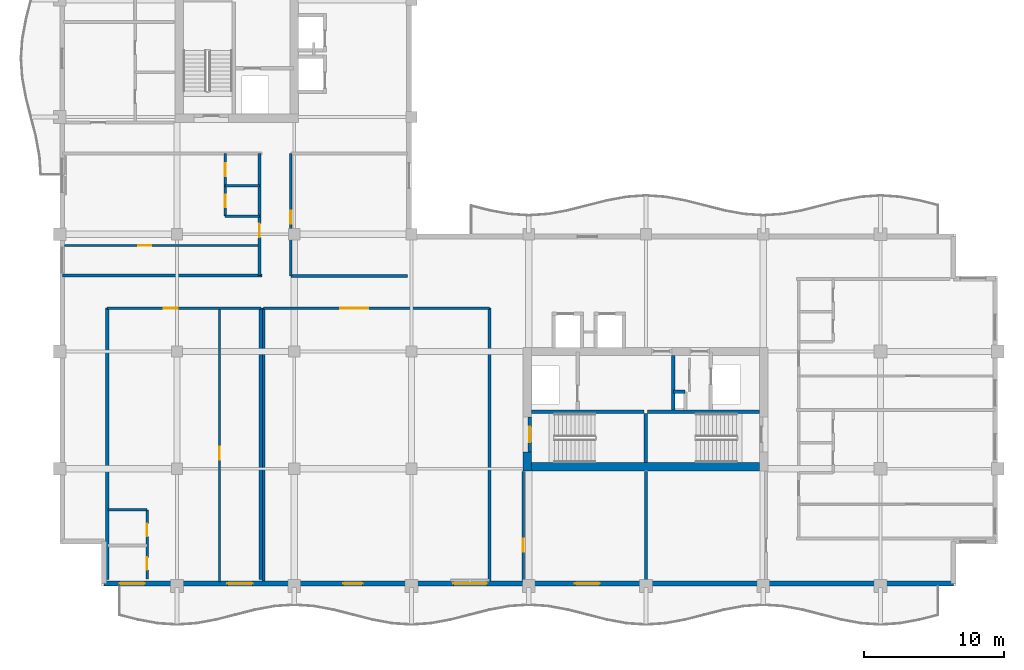
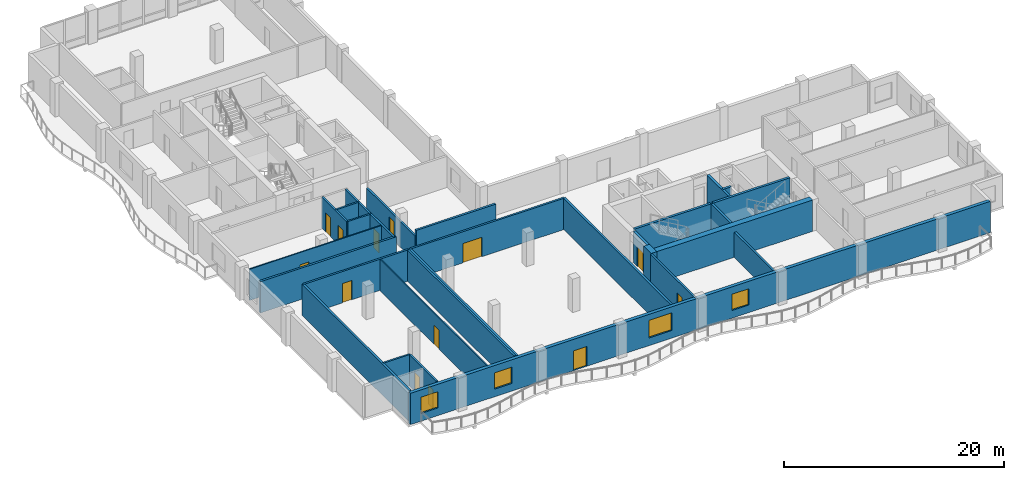
# One storey, part 6 of 16: 28 walls, 13 doors, 4 windows, 17 openings.
"""IFC4 building model written with IfcOpenShell, lengths in metres."""

from ifc_helpers import new_model, si_unit, direction, frame, frame_2d, origin, place, context, subcontext, project, spatial, rectangle, extrude, material, layer, layer_set, type_object, element, fill, save


model = new_model("IFC4")

# Units and contexts
model_context = context("Model", 3, precision=1e-05, world=origin(), true_north=direction((0.0, 1.0)))
body_context = subcontext(model_context, "Body", "Model", "MODEL_VIEW")
ifc_project = project(units=[si_unit("LENGTHUNIT", "METRE"), si_unit("AREAUNIT", "SQUARE_METRE"), si_unit("VOLUMEUNIT", "CUBIC_METRE"), si_unit("PLANEANGLEUNIT", "RADIAN"), si_unit("MASSUNIT", "GRAM", prefix="KILO")], contexts=[model_context])

# Site, building, storey
site_placement = place(None, origin())
site = spatial("IfcSite", under=ifc_project, at=site_placement, CompositionType="ELEMENT")
building_placement = place(site_placement, origin())
building = spatial("IfcBuilding", under=site, at=building_placement, Name="Koriwani Terraces Tower", CompositionType="ELEMENT")
storey_placement = place(building_placement, frame((0.0, 0.0, 267.5)))
storey = spatial("IfcBuildingStorey", under=building, at=storey_placement, Name="L66", CompositionType="ELEMENT", Elevation=267.5)

# Walls
ifc_material_1 = material(Name="Concrete C60/75", Category="concrete")
ifc_layer_1 = layer(ifc_material_1, 0.60009765625, Name="Concrete C60/75")
ifc_layer_set_1 = layer_set([ifc_layer_1], Name="Concrete C60/75")
wall_type_1 = type_object("IfcWallType", Name="WALL_CORE_RC_600", PredefinedType="SHEAR", material=ifc_layer_set_1)
wall_1_placement = place(storey_placement, frame((41.89990234375, 16.64990234375, 0.0), z_axis=(0.0, 0.0, 1.0), x_axis=(0.0, 1.0, 0.0)))
element("IfcWall", 1, at=wall_1_placement, inside=storey, type_object=wall_type_1, Name="L66 East Split Core Shear Wall W1", PredefinedType="SHEAR", context=body_context, shape_type="SweptSolid", body=[
    extrude(rectangle(XDim=1.35009765625, YDim=0.60009765625, at=frame_2d((0.675048828125, 0.0))), origin(), (0.0, 0.0, 1.0), 3.469970703125),
])
wall_2_placement = place(storey_placement, frame((42.199951171875, 16.949951171875, 0.0), z_axis=(0.0, 0.0, 1.0), x_axis=(1.0, 0.0, 0.0)))
element("IfcWall", 2, at=wall_2_placement, inside=storey, type_object=wall_type_1, Name="L66 East Split Core Shear Wall S1", PredefinedType="SHEAR", context=body_context, shape_type="SweptSolid", body=[
    extrude(rectangle(XDim=16.35009765625, YDim=0.60009765625, at=frame_2d((8.175048828125, 0.0))), origin(), (0.0, 0.0, 1.0), 3.469970703125),
])

# Wall, opening, door
ifc_material_2 = material(Name="Autoclaved Cellular Concrete Blockwork", Category="masonry")
ifc_layer_2 = layer(ifc_material_2, 0.199951171875, Name="Autoclaved Cellular Concrete Blockwork")
ifc_layer_set_2 = layer_set([ifc_layer_2], Name="Autoclaved Cellular Concrete Blockwork")
wall_type_2 = type_object("IfcWallType", Name="WALL_CORRIDOR_200", PredefinedType="PARTITIONING", material=ifc_layer_set_2)
wall_3_placement = place(storey_placement, frame((24.949951171875, 30.60009765625, 0.0), z_axis=(0.0, 0.0, 1.0), x_axis=(0.0, 1.0, 0.0)))
wall_3 = element("IfcWall", 3, at=wall_3_placement, inside=storey, type_object=wall_type_2, Name="L66 Interior Wall WIC4W-L66", PredefinedType="PARTITIONING", context=body_context, shape_type="SweptSolid", body=[
    extrude(rectangle(XDim=8.7998046875, YDim=0.199951171875, at=frame_2d((4.39990234375, 0.0))), origin(), (0.0, 0.0, 1.0), 2.820068359375),
])
opening_1_placement = place(wall_3_placement, frame((3.75, 0.0, 0.0)))
opening_1 = element("IfcOpeningElement", 4, at=opening_1_placement, cuts=wall_3, Name="Opening D-06", PredefinedType="OPENING", context=body_context, shape_type="SweptSolid", body=[
    extrude(rectangle(XDim=0.919921875, YDim=2.10009765625, at=frame_2d((0.4599609375, 1.050048828125))), frame((0.0, 0.10986328125, 0.0), z_axis=(0.0, -1.0, 0.0), x_axis=(1.0, 0.0, 0.0)), (0.0, 0.0, 1.0), 0.219970703125),
])
ifc_material_3 = material(Name="Architectural Oak Fire Door", Category="wood")
door_type_1 = type_object("IfcDoorType", Name="DOOR_ROOM_INT_920X2100", OperationType="NOTDEFINED", PredefinedType="DOOR", material=ifc_material_3)
door_1_placement = place(opening_1_placement, origin())
door_1 = element("IfcDoor", 5, at=door_1_placement, inside=storey, type_object=door_type_1, Name="L66 High-Rise Court Study Door", OperationType="SINGLE_SWING_RIGHT", OverallHeight=2.10009765625, OverallWidth=0.919921875, PredefinedType="DOOR", context=body_context, shape_type="SweptSolid", body=[
    extrude(rectangle(XDim=0.919921875, YDim=2.10009765625, at=frame_2d((0.4599609375, 1.050048828125))), frame((0.0, 0.02490234375, 0.0), z_axis=(0.0, -1.0, 0.0), x_axis=(1.0, 0.0, 0.0)), (0.0, 0.0, 1.0), 0.050048828125),
])
fill(opening_1, door_1)

wall_4_placement = place(storey_placement, frame((41.60009765625, 8.64990234375, 0.0), z_axis=(0.0, 0.0, 1.0), x_axis=(0.0, 1.0, 0.0)))
wall_4 = element("IfcWall", 6, at=wall_4_placement, inside=storey, type_object=wall_type_2, Name="L66 Interior Wall WRZ4-EW-L66", PredefinedType="PARTITIONING", context=body_context, shape_type="SweptSolid", body=[
    extrude(rectangle(XDim=7.9501953125, YDim=0.199951171875, at=frame_2d((3.97509765625, 0.0))), origin(), (0.0, 0.0, 1.0), 3.469970703125),
])
opening_2_placement = place(wall_4_placement, frame((2.199951171875, 0.0, 0.0)))
opening_2 = element("IfcOpeningElement", 7, at=opening_2_placement, cuts=wall_4, Name="Opening D-06", PredefinedType="OPENING", context=body_context, shape_type="SweptSolid", body=[
    extrude(rectangle(XDim=0.919921875, YDim=2.10009765625, at=frame_2d((0.4599609375, 1.050048828125))), frame((0.0, 0.10986328125, 0.0), z_axis=(0.0, -1.0, 0.0), x_axis=(1.0, 0.0, 0.0)), (0.0, 0.0, 1.0), 0.219970703125),
])
door_2_placement = place(opening_2_placement, origin())
door_2 = element("IfcDoor", 8, at=door_2_placement, inside=storey, type_object=door_type_1, Name="L66 Resident Library Study Door", OperationType="SINGLE_SWING_LEFT", OverallHeight=2.10009765625, OverallWidth=0.919921875, PredefinedType="DOOR", context=body_context, shape_type="SweptSolid", body=[
    extrude(rectangle(XDim=0.919921875, YDim=2.10009765625, at=frame_2d((0.4599609375, 1.050048828125))), frame((0.0, 0.02490234375, 0.0), z_axis=(0.0, -1.0, 0.0), x_axis=(1.0, 0.0, 0.0)), (0.0, 0.0, 1.0), 0.050048828125),
])
fill(opening_2, door_2)

wall_5_placement = place(storey_placement, frame((11.800048828125, 28.300048828125, 0.0), z_axis=(0.0, 0.0, 1.0), x_axis=(1.0, 0.0, 0.0)))
wall_5 = element("IfcWall", 9, at=wall_5_placement, inside=storey, type_object=wall_type_2, Name="L66 Interior Wall WGB-L66-SPINE-N", PredefinedType="PARTITIONING", context=body_context, shape_type="SweptSolid", body=[
    extrude(rectangle(XDim=11.0, YDim=0.199951171875, at=frame_2d((5.5, 0.0))), origin(), (0.0, 0.0, 1.0), 3.469970703125),
])
opening_3_placement = place(wall_5_placement, frame((4.050048828125, 0.0, 0.0)))
opening_3 = element("IfcOpeningElement", 10, at=opening_3_placement, cuts=wall_5, Name="Opening D-05", PredefinedType="OPENING", context=body_context, shape_type="SweptSolid", body=[
    extrude(rectangle(XDim=1.0, YDim=2.14990234375, at=frame_2d((0.5, 1.074951171875))), frame((0.0, 0.10986328125, 0.0), z_axis=(0.0, -1.0, 0.0), x_axis=(1.0, 0.0, 0.0)), (0.0, 0.0, 1.0), 0.219970703125),
])
door_type_2 = type_object("IfcDoorType", Name="DOOR_SUITE_ENTRY_1000X2150", OperationType="NOTDEFINED", PredefinedType="DOOR", material=ifc_material_3)
door_3_placement = place(opening_3_placement, origin())
door_3 = element("IfcDoor", 11, at=door_3_placement, inside=storey, type_object=door_type_2, Name="Corner Residence 66SP Entrance Door", OperationType="SINGLE_SWING_LEFT", OverallHeight=2.14990234375, OverallWidth=1.0, PredefinedType="DOOR", context=body_context, shape_type="SweptSolid", body=[
    extrude(rectangle(XDim=1.0, YDim=2.14990234375, at=frame_2d((0.5, 1.074951171875))), frame((0.0, 0.02490234375, 0.0), z_axis=(0.0, -1.0, 0.0), x_axis=(1.0, 0.0, 0.0)), (0.0, 0.0, 1.0), 0.050048828125),
])
fill(opening_3, door_3)

wall_6_placement = place(storey_placement, frame((23.0, 28.300048828125, 0.0), z_axis=(0.0, 0.0, 1.0), x_axis=(1.0, 0.0, 0.0)))
wall_6 = element("IfcWall", 12, at=wall_6_placement, inside=storey, type_object=wall_type_2, Name="L66 Interior Wall WSPCLB-N-L66", PredefinedType="PARTITIONING", context=body_context, shape_type="SweptSolid", body=[
    extrude(rectangle(XDim=16.199951171875, YDim=0.199951171875, at=frame_2d((8.10009765625, 0.0))), origin(), (0.0, 0.0, 1.0), 3.469970703125),
])
opening_4_placement = place(wall_6_placement, frame((5.5, 0.0, 0.0)))
opening_4 = element("IfcOpeningElement", 13, at=opening_4_placement, cuts=wall_6, Name="Opening D-02", PredefinedType="OPENING", context=body_context, shape_type="SweptSolid", body=[
    extrude(rectangle(XDim=2.0, YDim=2.14990234375, at=frame_2d((1.0, 1.074951171875))), frame((0.0, 0.10986328125, 0.0), z_axis=(0.0, -1.0, 0.0), x_axis=(1.0, 0.0, 0.0)), (0.0, 0.0, 1.0), 0.219970703125),
])
ifc_material_4 = material(Name="Anodised Bronze Aluminium", Category="aluminium")
door_type_3 = type_object("IfcDoorType", Name="DOOR_ENTRANCE_DOUBLE_2000X2400", OperationType="NOTDEFINED", PredefinedType="DOOR", material=ifc_material_4)
door_4_placement = place(opening_4_placement, origin())
door_4 = element("IfcDoor", 14, at=door_4_placement, inside=storey, type_object=door_type_3, Name="L66 Sky Screening Salon Door", OperationType="SINGLE_SWING_LEFT", OverallHeight=2.14990234375, OverallWidth=2.0, PredefinedType="DOOR", context=body_context, shape_type="SweptSolid", body=[
    extrude(rectangle(XDim=2.0, YDim=2.14990234375, at=frame_2d((1.0, 1.074951171875))), frame((0.0, 0.02490234375, 0.0), z_axis=(0.0, -1.0, 0.0), x_axis=(1.0, 0.0, 0.0)), (0.0, 0.0, 1.0), 0.050048828125),
])
fill(opening_4, door_4)

wall_7_placement = place(storey_placement, frame((22.699951171875, 30.64990234375, 0.0), z_axis=(0.0, 0.0, 1.0), x_axis=(0.0, 1.0, 0.0)))
wall_7 = element("IfcWall", 15, at=wall_7_placement, inside=storey, type_object=wall_type_2, Name="L66 Interior Wall WRCOR-L66-NE-0", PredefinedType="PARTITIONING", context=body_context, shape_type="SweptSolid", body=[
    extrude(rectangle(XDim=8.75, YDim=0.199951171875, at=frame_2d((4.375, 0.0))), origin(), (0.0, 0.0, 1.0), 3.469970703125),
])
opening_5_placement = place(wall_7_placement, frame((2.719970703125, 0.0, 0.0)))
opening_5 = element("IfcOpeningElement", 16, at=opening_5_placement, cuts=wall_7, Name="Opening D-05", PredefinedType="OPENING", context=body_context, shape_type="SweptSolid", body=[
    extrude(rectangle(XDim=1.0, YDim=2.14990234375, at=frame_2d((0.5, 1.074951171875))), frame((0.0, 0.10986328125, 0.0), z_axis=(0.0, -1.0, 0.0), x_axis=(1.0, 0.0, 0.0)), (0.0, 0.0, 1.0), 0.219970703125),
])
door_5_placement = place(opening_5_placement, origin())
door_5 = element("IfcDoor", 17, at=door_5_placement, inside=storey, type_object=door_type_2, Name="Apartment 66NE1 Entrance Door", OperationType="SINGLE_SWING_RIGHT", OverallHeight=2.14990234375, OverallWidth=1.0, PredefinedType="DOOR", context=body_context, shape_type="SweptSolid", body=[
    extrude(rectangle(XDim=1.0, YDim=2.14990234375, at=frame_2d((0.5, 1.074951171875))), frame((0.0, 0.02490234375, 0.0), z_axis=(0.0, -1.0, 0.0), x_axis=(1.0, 0.0, 0.0)), (0.0, 0.0, 1.0), 0.050048828125),
])
fill(opening_5, door_5)

# Walls
ifc_layer_3 = layer(ifc_material_2, 0.219970703125, Name="Autoclaved Cellular Concrete Blockwork")
ifc_layer_set_3 = layer_set([ifc_layer_3], Name="Autoclaved Cellular Concrete Blockwork")
wall_type_3 = type_object("IfcWallType", Name="WALL_DEMISING_220", PredefinedType="PARTITIONING", material=ifc_layer_set_3)
wall_8_placement = place(storey_placement, frame((24.949951171875, 30.60009765625, 0.0), z_axis=(0.0, 0.0, 1.0), x_axis=(1.0, 0.0, 0.0)))
element("IfcWall", 18, at=wall_8_placement, inside=storey, type_object=wall_type_3, Name="L66 Interior Wall WIC4WS-L66", PredefinedType="PARTITIONING", context=body_context, shape_type="SweptSolid", body=[
    extrude(rectangle(XDim=8.35009765625, YDim=0.219970703125, at=frame_2d((4.175048828125, 0.0))), origin(), (0.0, 0.0, 1.0), 3.469970703125),
])
wall_9_placement = place(storey_placement, frame((50.39990234375, 8.64990234375, 0.0), z_axis=(0.0, 0.0, 1.0), x_axis=(0.0, 1.0, 0.0)))
element("IfcWall", 19, at=wall_9_placement, inside=storey, type_object=wall_type_3, Name="L66 Interior Wall WRZ4-EM-L66", PredefinedType="PARTITIONING", context=body_context, shape_type="SweptSolid", body=[
    extrude(rectangle(XDim=7.9501953125, YDim=0.219970703125, at=frame_2d((3.97509765625, 0.0))), origin(), (0.0, 0.0, 1.0), 2.820068359375),
])
for number, where, z_axis, x_axis, name in (
    (20, (22.800048828125, 8.85009765625, 0.0), (0.0, 0.0, 1.0), (0.0, 1.0, 0.0), "L66 Interior Wall WGB-L66-SPINE-E"),
    (21, (11.800048828125, 8.85009765625, 0.0), (0.0, 0.0, 1.0), (0.0, 1.0, 0.0), "L66 Interior Wall WGB-L66-SPINE-W"),
):
    element("IfcWall", number, at=place(storey_placement, frame(where, z_axis=z_axis, x_axis=x_axis)), inside=storey, type_object=wall_type_3, Name=name, PredefinedType="PARTITIONING", context=body_context, shape_type="SweptSolid", body=[
        extrude(rectangle(XDim=19.449951171875, YDim=0.219970703125, at=frame_2d((9.72509765625, 0.0))), origin(), (0.0, 0.0, 1.0), 3.469970703125),
    ])
for number, where, z_axis, x_axis, name in (
    (22, (23.0, 8.75, 0.0), (0.0, 0.0, 1.0), (0.0, 1.0, 0.0), "L66 Interior Wall WSPCLB-W-L66"),
    (23, (39.199951171875, 8.75, 0.0), (0.0, 0.0, 1.0), (0.0, 1.0, 0.0), "L66 Interior Wall WSPCLB-E-L66"),
):
    element("IfcWall", number, at=place(storey_placement, frame(where, z_axis=z_axis, x_axis=x_axis)), inside=storey, type_object=wall_type_3, Name=name, PredefinedType="PARTITIONING", context=body_context, shape_type="SweptSolid", body=[
        extrude(rectangle(XDim=19.550048828125, YDim=0.219970703125, at=frame_2d((9.77490234375, 0.0))), origin(), (0.0, 0.0, 1.0), 3.469970703125),
    ])
wall_10_placement = place(storey_placement, frame((8.60009765625, 30.64990234375, 0.0), z_axis=(0.0, 0.0, 1.0), x_axis=(1.0, 0.0, 0.0)))
element("IfcWall", 24, at=wall_10_placement, inside=storey, type_object=wall_type_3, Name="L66 Interior Wall WRDEM-L66-NE-0", PredefinedType="PARTITIONING", context=body_context, shape_type="SweptSolid", body=[
    extrude(rectangle(XDim=14.27978515625, YDim=0.219970703125, at=frame_2d((7.139892578125, 0.0))), origin(), (0.0, 0.0, 1.0), 3.469970703125),
])

# Wall, openings, door, windows
ifc_material_5 = material(Name="Concrete C50/60", Category="concrete")
ifc_layer_4 = layer(ifc_material_5, 0.35009765625, Name="Concrete C50/60")
ifc_layer_set_4 = layer_set([ifc_layer_4], Name="Concrete C50/60")
wall_type_4 = type_object("IfcWallType", Name="WALL_EXT_BRUTALIST_350", PredefinedType="STANDARD", material=ifc_layer_set_4)
wall_11_placement = place(storey_placement, frame((72.425048828125, 8.574951171875, 0.0), z_axis=(0.0, 0.0, 1.0), x_axis=(-1.0, 0.0, 0.0)))
wall_11 = element("IfcWall", 25, at=wall_11_placement, inside=storey, type_object=wall_type_4, Name="L66 Fair-Faced Brutalist Exterior Wall (S)", PredefinedType="STANDARD", context=body_context, shape_type="SweptSolid", body=[
    extrude(rectangle(XDim=60.85009765625, YDim=0.35009765625, at=frame_2d((30.425048828125, 0.0))), origin(), (0.0, 0.0, 1.0), 3.469970703125),
])
opening_6_placement = place(wall_11_placement, frame((42.324951171875, 0.0, 0.0)))
opening_6 = element("IfcOpeningElement", 26, at=opening_6_placement, cuts=wall_11, Name="Opening D-09", PredefinedType="OPENING", context=body_context, shape_type="SweptSolid", body=[
    extrude(rectangle(XDim=1.39990234375, YDim=2.199951171875, at=frame_2d((0.699951171875, 1.10009765625))), frame((0.0, 0.18505859375, 0.0), z_axis=(0.0, -1.0, 0.0), x_axis=(1.0, 0.0, 0.0)), (0.0, 0.0, 1.0), 0.3701171875),
])
opening_7_placement = place(wall_11_placement, frame((33.425048828125, 0.0, 0.85009765625)))
opening_7 = element("IfcOpeningElement", 27, at=opening_7_placement, cuts=wall_11, Name="Opening W-03", PredefinedType="OPENING", context=body_context, shape_type="SweptSolid", body=[
    extrude(rectangle(XDim=2.39990234375, YDim=1.949951171875, at=frame_2d((1.199951171875, 0.97509765625))), frame((0.0, 0.18505859375, 0.0), z_axis=(0.0, -1.0, 0.0), x_axis=(1.0, 0.0, 0.0)), (0.0, 0.0, 1.0), 0.3701171875),
])
opening_8_placement = place(wall_11_placement, frame((25.324951171875, 0.0, 0.85009765625)))
opening_8 = element("IfcOpeningElement", 28, at=opening_8_placement, cuts=wall_11, Name="Opening W-04", PredefinedType="OPENING", context=body_context, shape_type="SweptSolid", body=[
    extrude(rectangle(XDim=1.800048828125, YDim=1.800048828125, at=frame_2d((0.89990234375, 0.89990234375))), frame((0.0, 0.18505859375, 0.0), z_axis=(0.0, -1.0, 0.0), x_axis=(1.0, 0.0, 0.0)), (0.0, 0.0, 1.0), 0.3701171875),
])
opening_9_placement = place(wall_11_placement, frame((50.215087890625, 0.0, 0.85009765625)))
opening_9 = element("IfcOpeningElement", 29, at=opening_9_placement, cuts=wall_11, Name="Opening W-04", PredefinedType="OPENING", context=body_context, shape_type="SweptSolid", body=[
    extrude(rectangle(XDim=1.800048828125, YDim=1.800048828125, at=frame_2d((0.89990234375, 0.89990234375))), frame((0.0, 0.18505859375, 0.0), z_axis=(0.0, -1.0, 0.0), x_axis=(1.0, 0.0, 0.0)), (0.0, 0.0, 1.0), 0.3701171875),
])
opening_10_placement = place(wall_11_placement, frame((57.93505859375, 0.0, 0.85009765625)))
opening_10 = element("IfcOpeningElement", 30, at=opening_10_placement, cuts=wall_11, Name="Opening W-04", PredefinedType="OPENING", context=body_context, shape_type="SweptSolid", body=[
    extrude(rectangle(XDim=1.800048828125, YDim=1.800048828125, at=frame_2d((0.89990234375, 0.89990234375))), frame((0.0, 0.18505859375, 0.0), z_axis=(0.0, -1.0, 0.0), x_axis=(1.0, 0.0, 0.0)), (0.0, 0.0, 1.0), 0.3701171875),
])
door_type_4 = type_object("IfcDoorType", Name="DOOR_BALCONY_GLAZED_1400X2200", OperationType="NOTDEFINED", PredefinedType="DOOR", material=ifc_material_4)
door_6_placement = place(opening_6_placement, origin())
door_6 = element("IfcDoor", 31, at=door_6_placement, inside=storey, type_object=door_type_4, Name="L66 South Balcony Glazed Door", OperationType="SINGLE_SWING_LEFT", OverallHeight=2.199951171875, OverallWidth=1.39990234375, PredefinedType="DOOR", context=body_context, shape_type="SweptSolid", body=[
    extrude(rectangle(XDim=1.39990234375, YDim=2.199951171875, at=frame_2d((0.699951171875, 1.10009765625))), frame((0.0, 0.02490234375, 0.0), z_axis=(0.0, -1.0, 0.0), x_axis=(1.0, 0.0, 0.0)), (0.0, 0.0, 1.0), 0.050048828125),
])
fill(opening_6, door_6)
ifc_material_6 = material(Name="Tempered Laminated Low-E Glass", Category="glass")
window_type_1 = type_object("IfcWindowType", Name="WIN_RES_BED_1800X1800", PartitioningType="DOUBLE_PANEL_VERTICAL", PredefinedType="WINDOW", material=ifc_material_6)
window_1_placement = place(opening_8_placement, origin())
window_1 = element("IfcWindow", 32, at=window_1_placement, inside=storey, type_object=window_type_1, Name="L66 Exterior Window (S-12)", OverallHeight=1.800048828125, OverallWidth=1.800048828125, PartitioningType="SINGLE_PANEL", PredefinedType="WINDOW", context=body_context, shape_type="SweptSolid", body=[
    extrude(rectangle(XDim=1.800048828125, YDim=1.800048828125, at=frame_2d((0.89990234375, 0.89990234375))), frame((0.0, 0.030029296875, 0.0), z_axis=(0.0, -1.0, 0.0), x_axis=(1.0, 0.0, 0.0)), (0.0, 0.0, 1.0), 0.06005859375),
])
fill(opening_8, window_1)
window_2_placement = place(opening_9_placement, origin())
window_2 = element("IfcWindow", 33, at=window_2_placement, inside=storey, type_object=window_type_1, Name="L66 Exterior Window (S-R32)", OverallHeight=1.800048828125, OverallWidth=1.800048828125, PartitioningType="SINGLE_PANEL", PredefinedType="WINDOW", context=body_context, shape_type="SweptSolid", body=[
    extrude(rectangle(XDim=1.800048828125, YDim=1.800048828125, at=frame_2d((0.89990234375, 0.89990234375))), frame((0.0, 0.030029296875, 0.0), z_axis=(0.0, -1.0, 0.0), x_axis=(1.0, 0.0, 0.0)), (0.0, 0.0, 1.0), 0.06005859375),
])
fill(opening_9, window_2)
window_3_placement = place(opening_10_placement, origin())
window_3 = element("IfcWindow", 34, at=window_3_placement, inside=storey, type_object=window_type_1, Name="L66 Exterior Window (S-R33)", OverallHeight=1.800048828125, OverallWidth=1.800048828125, PartitioningType="SINGLE_PANEL", PredefinedType="WINDOW", context=body_context, shape_type="SweptSolid", body=[
    extrude(rectangle(XDim=1.800048828125, YDim=1.800048828125, at=frame_2d((0.89990234375, 0.89990234375))), frame((0.0, 0.030029296875, 0.0), z_axis=(0.0, -1.0, 0.0), x_axis=(1.0, 0.0, 0.0)), (0.0, 0.0, 1.0), 0.06005859375),
])
fill(opening_10, window_3)
window_type_2 = type_object("IfcWindowType", Name="WIN_RES_LIVING_2400X1950", PartitioningType="DOUBLE_PANEL_VERTICAL", PredefinedType="WINDOW", material=ifc_material_6)
window_4_placement = place(opening_7_placement, origin())
window_4 = element("IfcWindow", 35, at=window_4_placement, inside=storey, type_object=window_type_2, Name="L66 Exterior Window (S-9)", OverallHeight=1.949951171875, OverallWidth=2.39990234375, PartitioningType="SINGLE_PANEL", PredefinedType="WINDOW", context=body_context, shape_type="SweptSolid", body=[
    extrude(rectangle(XDim=2.39990234375, YDim=1.949951171875, at=frame_2d((1.199951171875, 0.97509765625))), frame((0.0, 0.030029296875, 0.0), z_axis=(0.0, -1.0, 0.0), x_axis=(1.0, 0.0, 0.0)), (0.0, 0.0, 1.0), 0.06005859375),
])
fill(opening_7, window_4)

# Wall, opening, door
ifc_material_7 = material(Name="Fire-Rated Acoustic Gypsum Partition", Category="masonry")
ifc_layer_5 = layer(ifc_material_7, 0.125, Name="Fire-Rated Acoustic Gypsum Partition")
ifc_layer_set_5 = layer_set([ifc_layer_5], Name="Fire-Rated Acoustic Gypsum Partition")
wall_type_5 = type_object("IfcWallType", Name="WALL_INT_125", PredefinedType="PARTITIONING", material=ifc_layer_set_5)
wall_12_placement = place(storey_placement, frame((19.85009765625, 8.699951171875, 0.0), z_axis=(0.0, 0.0, 1.0), x_axis=(0.0, 1.0, 0.0)))
wall_12 = element("IfcWall", 36, at=wall_12_placement, inside=storey, type_object=wall_type_5, Name="L66 Interior Wall WGB-L66-SPINE-BD", PredefinedType="PARTITIONING", context=body_context, shape_type="SweptSolid", body=[
    extrude(rectangle(XDim=19.650146484375, YDim=0.125, at=frame_2d((9.8251953125, 0.0))), origin(), (0.0, 0.0, 1.0), 3.469970703125),
])
opening_11_placement = place(wall_12_placement, frame((8.751953125, 0.0, 0.0)))
opening_11 = element("IfcOpeningElement", 37, at=opening_11_placement, cuts=wall_12, Name="Opening D-06", PredefinedType="OPENING", context=body_context, shape_type="SweptSolid", body=[
    extrude(rectangle(XDim=0.919921875, YDim=2.10009765625, at=frame_2d((0.4599609375, 1.050048828125))), frame((0.0, 0.072509765625, 0.0), z_axis=(0.0, -1.0, 0.0), x_axis=(1.0, 0.0, 0.0)), (0.0, 0.0, 1.0), 0.14501953125),
])
door_7_placement = place(opening_11_placement, origin())
door_7 = element("IfcDoor", 38, at=door_7_placement, inside=storey, type_object=door_type_1, Name="Corner Residence 66SP Master Suite Door", OperationType="SINGLE_SWING_RIGHT", OverallHeight=2.10009765625, OverallWidth=0.919921875, PredefinedType="DOOR", context=body_context, shape_type="SweptSolid", body=[
    extrude(rectangle(XDim=0.919921875, YDim=2.10009765625, at=frame_2d((0.4599609375, 1.050048828125))), frame((0.0, 0.02490234375, 0.0), z_axis=(0.0, -1.0, 0.0), x_axis=(1.0, 0.0, 0.0)), (0.0, 0.0, 1.0), 0.050048828125),
])
fill(opening_11, door_7)

wall_13_placement = place(storey_placement, frame((8.75, 32.800048828125, 0.0), z_axis=(0.0, 0.0, 1.0), x_axis=(1.0, 0.0, 0.0)))
wall_13 = element("IfcWall", 39, at=wall_13_placement, inside=storey, type_object=wall_type_5, Name="L66 Interior Wall WRBED1-L66-NE-0", PredefinedType="PARTITIONING", context=body_context, shape_type="SweptSolid", body=[
    extrude(rectangle(XDim=13.949951171875, YDim=0.125, at=frame_2d((6.97509765625, 0.0))), origin(), (0.0, 0.0, 1.0), 3.469970703125),
])
opening_12_placement = place(wall_13_placement, frame((5.2900390625, 0.0, 0.0)))
opening_12 = element("IfcOpeningElement", 40, at=opening_12_placement, cuts=wall_13, Name="Opening D-06", PredefinedType="OPENING", context=body_context, shape_type="SweptSolid", body=[
    extrude(rectangle(XDim=0.919921875, YDim=2.10009765625, at=frame_2d((0.4599609375, 1.050048828125))), frame((0.0, 0.072509765625, 0.0), z_axis=(0.0, -1.0, 0.0), x_axis=(1.0, 0.0, 0.0)), (0.0, 0.0, 1.0), 0.14501953125),
])
door_8_placement = place(opening_12_placement, origin())
door_8 = element("IfcDoor", 41, at=door_8_placement, inside=storey, type_object=door_type_1, Name="Apartment 66NE1 Master Bedroom Door", OperationType="SINGLE_SWING_LEFT", OverallHeight=2.10009765625, OverallWidth=0.919921875, PredefinedType="DOOR", context=body_context, shape_type="SweptSolid", body=[
    extrude(rectangle(XDim=0.919921875, YDim=2.10009765625, at=frame_2d((0.4599609375, 1.050048828125))), frame((0.0, 0.02490234375, 0.0), z_axis=(0.0, -1.0, 0.0), x_axis=(1.0, 0.0, 0.0)), (0.0, 0.0, 1.0), 0.050048828125),
])
fill(opening_12, door_8)

# Wall, openings, doors
ifc_layer_6 = layer(ifc_material_7, 0.179931640625, Name="Fire-Rated Acoustic Gypsum Partition")
ifc_layer_set_6 = layer_set([ifc_layer_6], Name="Fire-Rated Acoustic Gypsum Partition")
wall_type_6 = type_object("IfcWallType", Name="WALL_PLUMBING_180", PredefinedType="PLUMBINGWALL", material=ifc_layer_set_6)
wall_14_placement = place(storey_placement, frame((14.64990234375, 8.89990234375, 0.0), z_axis=(0.0, 0.0, 1.0), x_axis=(0.0, 1.0, 0.0)))
wall_14 = element("IfcWall", 42, at=wall_14_placement, inside=storey, type_object=wall_type_6, Name="L66 Interior Wall WGB-L66-SPINE-SVB", PredefinedType="PLUMBINGWALL", context=body_context, shape_type="SweptSolid", body=[
    extrude(rectangle(XDim=4.9501953125, YDim=0.179931640625, at=frame_2d((2.47509765625, 0.0))), origin(), (0.0, 0.0, 1.0), 3.469970703125),
])
opening_13_placement = place(wall_14_placement, frame((0.64990234375, 0.0, 0.0)))
opening_13 = element("IfcOpeningElement", 43, at=opening_13_placement, cuts=wall_14, Name="Opening D-07", PredefinedType="OPENING", context=body_context, shape_type="SweptSolid", body=[
    extrude(rectangle(XDim=0.89990234375, YDim=2.10009765625, at=frame_2d((0.449951171875, 1.050048828125))), frame((0.0, 0.10009765625, 0.0), z_axis=(0.0, -1.0, 0.0), x_axis=(1.0, 0.0, 0.0)), (0.0, 0.0, 1.0), 0.199951171875),
])
opening_14_placement = place(wall_14_placement, frame((3.050048828125, 0.0, 0.0)))
opening_14 = element("IfcOpeningElement", 44, at=opening_14_placement, cuts=wall_14, Name="Opening D-06", PredefinedType="OPENING", context=body_context, shape_type="SweptSolid", body=[
    extrude(rectangle(XDim=0.919921875, YDim=2.10009765625, at=frame_2d((0.4599609375, 1.050048828125))), frame((0.0, 0.10009765625, 0.0), z_axis=(0.0, -1.0, 0.0), x_axis=(1.0, 0.0, 0.0)), (0.0, 0.0, 1.0), 0.199951171875),
])
door_type_5 = type_object("IfcDoorType", Name="DOOR_BATH_INT_900X2100", OperationType="NOTDEFINED", PredefinedType="DOOR", material=ifc_material_3)
door_9_placement = place(opening_13_placement, origin())
door_9 = element("IfcDoor", 45, at=door_9_placement, inside=storey, type_object=door_type_5, Name="Corner Residence 66SP Bathroom Door", OperationType="SINGLE_SWING_RIGHT", OverallHeight=2.10009765625, OverallWidth=0.89990234375, PredefinedType="DOOR", context=body_context, shape_type="SweptSolid", body=[
    extrude(rectangle(XDim=0.89990234375, YDim=2.10009765625, at=frame_2d((0.449951171875, 1.050048828125))), frame((0.0, 0.02490234375, 0.0), z_axis=(0.0, -1.0, 0.0), x_axis=(1.0, 0.0, 0.0)), (0.0, 0.0, 1.0), 0.050048828125),
])
fill(opening_13, door_9)
door_10_placement = place(opening_14_placement, origin())
door_10 = element("IfcDoor", 46, at=door_10_placement, inside=storey, type_object=door_type_1, Name="Corner Residence 66SP Kitchen Door", OperationType="SINGLE_SWING_LEFT", OverallHeight=2.10009765625, OverallWidth=0.919921875, PredefinedType="DOOR", context=body_context, shape_type="SweptSolid", body=[
    extrude(rectangle(XDim=0.919921875, YDim=2.10009765625, at=frame_2d((0.4599609375, 1.050048828125))), frame((0.0, 0.02490234375, 0.0), z_axis=(0.0, -1.0, 0.0), x_axis=(1.0, 0.0, 0.0)), (0.0, 0.0, 1.0), 0.050048828125),
])
fill(opening_14, door_10)

# Wall
wall_15_placement = place(storey_placement, frame((11.85009765625, 13.85009765625, 0.0), z_axis=(0.0, 0.0, 1.0), x_axis=(1.0, 0.0, 0.0)))
element("IfcWall", 47, at=wall_15_placement, inside=storey, type_object=wall_type_6, Name="L66 Interior Wall WGB-L66-SPINE-SV2", PredefinedType="PLUMBINGWALL", context=body_context, shape_type="SweptSolid", body=[
    extrude(rectangle(XDim=2.7998046875, YDim=0.179931640625, at=frame_2d((1.39990234375, 0.0))), origin(), (0.0, 0.0, 1.0), 3.469970703125),
])

# Wall, openings, doors
wall_16_placement = place(storey_placement, frame((20.25, 34.89990234375, 0.0), z_axis=(0.0, 0.0, 1.0), x_axis=(0.0, 1.0, 0.0)))
wall_16 = element("IfcWall", 48, at=wall_16_placement, inside=storey, type_object=wall_type_6, Name="L66 Interior Wall WRSVC-L66-NE-0", PredefinedType="PLUMBINGWALL", context=body_context, shape_type="SweptSolid", body=[
    extrude(rectangle(XDim=4.5, YDim=0.179931640625, at=frame_2d((2.25, 0.0))), origin(), (0.0, 0.0, 1.0), 3.469970703125),
])
opening_15_placement = place(wall_16_placement, frame((0.6298828125, 0.0, 0.0)))
opening_15 = element("IfcOpeningElement", 49, at=opening_15_placement, cuts=wall_16, Name="Opening D-07", PredefinedType="OPENING", context=body_context, shape_type="SweptSolid", body=[
    extrude(rectangle(XDim=0.89990234375, YDim=2.10009765625, at=frame_2d((0.449951171875, 1.050048828125))), frame((0.0, 0.10009765625, 0.0), z_axis=(0.0, -1.0, 0.0), x_axis=(1.0, 0.0, 0.0)), (0.0, 0.0, 1.0), 0.199951171875),
])
opening_16_placement = place(wall_16_placement, frame((2.8701171875, 0.0, 0.0)))
opening_16 = element("IfcOpeningElement", 50, at=opening_16_placement, cuts=wall_16, Name="Opening D-06", PredefinedType="OPENING", context=body_context, shape_type="SweptSolid", body=[
    extrude(rectangle(XDim=0.919921875, YDim=2.10009765625, at=frame_2d((0.4599609375, 1.050048828125))), frame((0.0, 0.10009765625, 0.0), z_axis=(0.0, -1.0, 0.0), x_axis=(1.0, 0.0, 0.0)), (0.0, 0.0, 1.0), 0.199951171875),
])
door_11_placement = place(opening_15_placement, origin())
door_11 = element("IfcDoor", 51, at=door_11_placement, inside=storey, type_object=door_type_5, Name="Apartment 66NE1 Bathroom Door", OperationType="SINGLE_SWING_LEFT", OverallHeight=2.10009765625, OverallWidth=0.89990234375, PredefinedType="DOOR", context=body_context, shape_type="SweptSolid", body=[
    extrude(rectangle(XDim=0.89990234375, YDim=2.10009765625, at=frame_2d((0.449951171875, 1.050048828125))), frame((0.0, 0.02490234375, 0.0), z_axis=(0.0, -1.0, 0.0), x_axis=(1.0, 0.0, 0.0)), (0.0, 0.0, 1.0), 0.050048828125),
])
fill(opening_15, door_11)
door_12_placement = place(opening_16_placement, origin())
door_12 = element("IfcDoor", 52, at=door_12_placement, inside=storey, type_object=door_type_1, Name="Apartment 66NE1 Kitchen Door", OperationType="SINGLE_SWING_RIGHT", OverallHeight=2.10009765625, OverallWidth=0.919921875, PredefinedType="DOOR", context=body_context, shape_type="SweptSolid", body=[
    extrude(rectangle(XDim=0.919921875, YDim=2.10009765625, at=frame_2d((0.4599609375, 1.050048828125))), frame((0.0, 0.02490234375, 0.0), z_axis=(0.0, -1.0, 0.0), x_axis=(1.0, 0.0, 0.0)), (0.0, 0.0, 1.0), 0.050048828125),
])
fill(opening_16, door_12)

# Walls
for number, where, z_axis, x_axis, name in (
    (53, (20.25, 34.89990234375, 0.0), (0.0, 0.0, 1.0), (1.0, 0.0, 0.0), "L66 Interior Wall WRSVCS-L66-NE-0"),
    (54, (20.25, 37.06005859375, 0.0), (0.0, 0.0, 1.0), (1.0, 0.0, 0.0), "L66 Interior Wall WRSVCM-L66-NE-0"),
):
    element("IfcWall", number, at=place(storey_placement, frame(where, z_axis=z_axis, x_axis=x_axis)), inside=storey, type_object=wall_type_6, Name=name, PredefinedType="PLUMBINGWALL", context=body_context, shape_type="SweptSolid", body=[
        extrude(rectangle(XDim=2.449951171875, YDim=0.179931640625, at=frame_2d((1.22509765625, 0.0))), origin(), (0.0, 0.0, 1.0), 3.469970703125),
    ])
ifc_material_8 = material(Name="Concrete C40/50", Category="concrete")
ifc_layer_7 = layer(ifc_material_8, 0.25, Name="Concrete C40/50")
ifc_layer_set_7 = layer_set([ifc_layer_7], Name="Concrete C40/50")
wall_type_7 = type_object("IfcWallType", Name="WALL_SHAFT_RATED_250", PredefinedType="SOLIDWALL", material=ifc_layer_set_7)
for number, where, z_axis, x_axis, name in (
    (55, (42.199951171875, 20.875, 0.0), (0.0, 0.0, 1.0), (1.0, 0.0, 0.0), "L66 East Split Core Web Wall MID1"),
    (56, (50.5, 20.875, 0.0), (0.0, 0.0, 1.0), (1.0, 0.0, 0.0), "L66 East Split Core Web Wall MID2"),
):
    element("IfcWall", number, at=place(storey_placement, frame(where, z_axis=z_axis, x_axis=x_axis)), inside=storey, type_object=wall_type_7, Name=name, PredefinedType="SOLIDWALL", context=body_context, shape_type="SweptSolid", body=[
        extrude(rectangle(XDim=8.050048828125, YDim=0.25, at=frame_2d((4.02490234375, 0.0))), origin(), (0.0, 0.0, 1.0), 3.469970703125),
    ])
wall_17_placement = place(storey_placement, frame((50.375, 17.25, 0.0), z_axis=(0.0, 0.0, 1.0), x_axis=(0.0, 1.0, 0.0)))
element("IfcWall", 57, at=wall_17_placement, inside=storey, type_object=wall_type_7, Name="L66 East Split Core Stair Dividing Wall", PredefinedType="SOLIDWALL", context=body_context, shape_type="SweptSolid", body=[
    extrude(rectangle(XDim=3.5, YDim=0.25, at=frame_2d((1.75, 0.0))), origin(), (0.0, 0.0, 1.0), 3.469970703125),
])

# Wall, opening, door
wall_18_placement = place(storey_placement, frame((42.074951171875, 18.0, 0.0), z_axis=(0.0, 0.0, 1.0), x_axis=(0.0, 1.0, 0.0)))
wall_18 = element("IfcWall", 58, at=wall_18_placement, inside=storey, type_object=wall_type_7, Name="L66 Interior Wall WIN-CE-L66-STW", PredefinedType="SOLIDWALL", context=body_context, shape_type="SweptSolid", body=[
    extrude(rectangle(XDim=2.5, YDim=0.25, at=frame_2d((1.25, 0.0))), origin(), (0.0, 0.0, 1.0), 3.469970703125),
])
opening_17_placement = place(wall_18_placement, frame((0.699951171875, 0.0, 0.0)))
opening_17 = element("IfcOpeningElement", 59, at=opening_17_placement, cuts=wall_18, Name="Opening D-03", PredefinedType="OPENING", context=body_context, shape_type="SweptSolid", body=[
    extrude(rectangle(XDim=1.10009765625, YDim=2.14990234375, at=frame_2d((0.550048828125, 1.074951171875))), frame((0.0, 0.135009765625, 0.0), z_axis=(0.0, -1.0, 0.0), x_axis=(1.0, 0.0, 0.0)), (0.0, 0.0, 1.0), 0.27001953125),
])
ifc_material_9 = material(Name="Steel ASTM A572 Grade 50", Category="steel")
door_type_6 = type_object("IfcDoorType", Name="DOOR_STAIR_FIRE_1100X2150", OperationType="NOTDEFINED", PredefinedType="DOOR", material=ifc_material_9)
door_13_placement = place(opening_17_placement, origin())
door_13 = element("IfcDoor", 60, at=door_13_placement, inside=storey, type_object=door_type_6, Name="L66 Exit Stair ST-E1 Door", OperationType="SINGLE_SWING_LEFT", OverallHeight=2.14990234375, OverallWidth=1.10009765625, PredefinedType="DOOR", context=body_context, shape_type="SweptSolid", body=[
    extrude(rectangle(XDim=1.10009765625, YDim=2.14990234375, at=frame_2d((0.550048828125, 1.074951171875))), frame((0.0, 0.02490234375, 0.0), z_axis=(0.0, -1.0, 0.0), x_axis=(1.0, 0.0, 0.0)), (0.0, 0.0, 1.0), 0.050048828125),
])
fill(opening_17, door_13)

# Walls
wall_19_placement = place(storey_placement, frame((52.340087890625, 21.0, 0.0), z_axis=(0.0, 0.0, 1.0), x_axis=(0.0, 1.0, 0.0)))
element("IfcWall", 61, at=wall_19_placement, inside=storey, type_object=wall_type_7, Name="L66 Interior Wall WIN-CE-L66-FFE", PredefinedType="SOLIDWALL", context=body_context, shape_type="SweptSolid", body=[
    extrude(rectangle(XDim=3.89990234375, YDim=0.25, at=frame_2d((1.949951171875, 0.0))), origin(), (0.0, 0.0, 1.0), 3.469970703125),
])
wall_20_placement = place(storey_placement, frame((52.360107421875, 22.300048828125, 0.0), z_axis=(0.0, 0.0, 1.0), x_axis=(1.0, 0.0, 0.0)))
element("IfcWall", 62, at=wall_20_placement, inside=storey, type_object=wall_type_7, Name="L66 Interior Wall WIN-CE-L66-RS2", PredefinedType="SOLIDWALL", context=body_context, shape_type="SweptSolid", body=[
    extrude(rectangle(XDim=0.83984375, YDim=0.25, at=frame_2d((0.419921875, 0.0))), origin(), (0.0, 0.0, 1.0), 3.469970703125),
])

save(model, "model.ifc")
